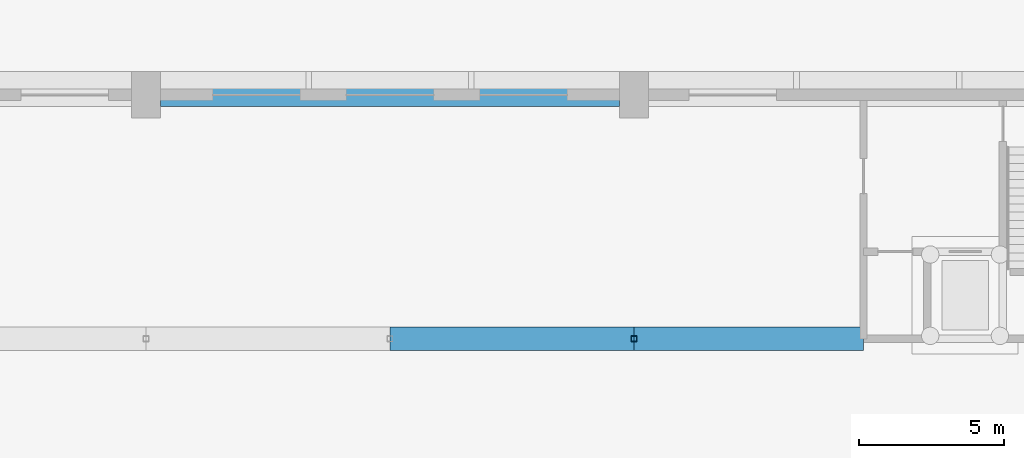
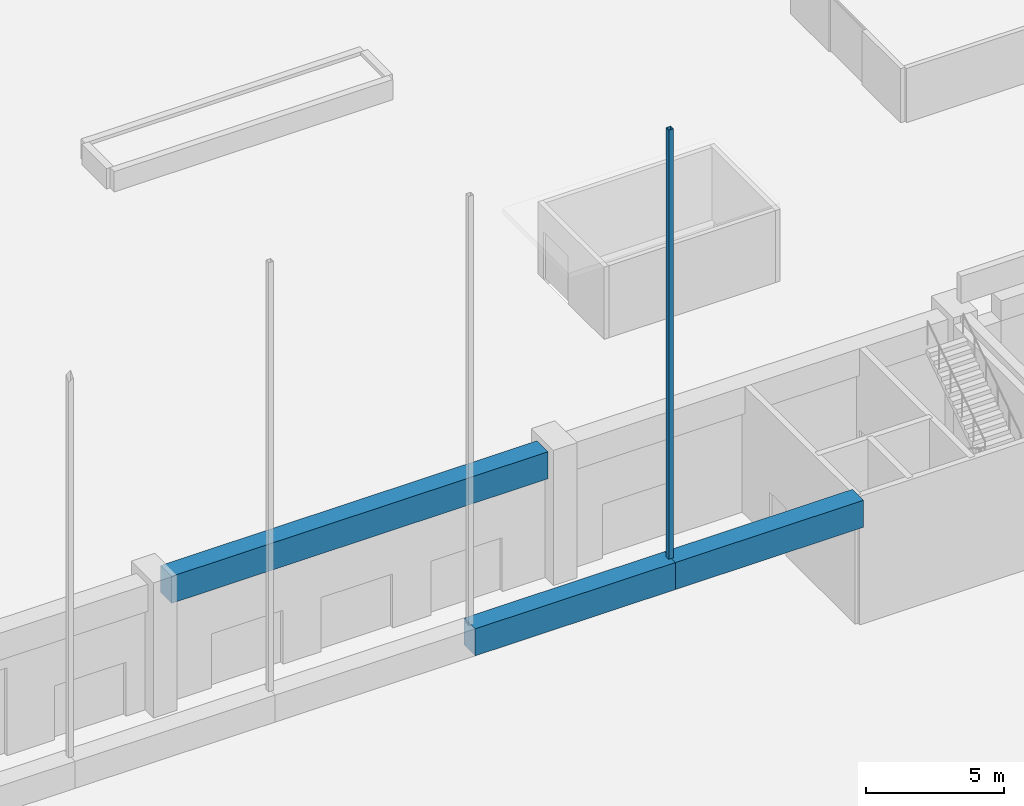
# One storey, part 70 of 210: 3 beams, 1 member.
"""IFC4 building model written with IfcOpenShell, lengths in metres."""

import ifcopenshell
import ifcopenshell.guid

model = None  # the IFC model being written
_history = None  # IfcOwnerHistory: only IFC2X3 demands one
_inside = {}  # id of a spatial element -> (the spatial element, [elements in it])
_under = {}  # id of a project, library or spatial element -> (it, [spatial elements below it])
_declared = {}  # id of a project -> (the project, [libraries it declares])
_typed = {}  # id of a type object -> (the type object, [elements of that type])
_made_of = {}  # id of a material, layer set ... -> (it, [elements and type objects made of it])


def new_model(schema):
    """Start an empty IFC model of exactly this schema.

    Asked for "IFC4X3", IfcOpenShell would pick the latest addendum, in which some entities
    have other attributes; the version numbers below select the first issue.
    IFC2X3 requires an IfcOwnerHistory on every rooted entity: one is made here for all.
    """
    global model, _history
    if schema == "IFC4X3":
        model = ifcopenshell.file(schema_version=(4, 3, 0, 0))
    else:
        model = ifcopenshell.file(schema=schema)
    _inside.clear()
    _under.clear()
    _declared.clear()
    _typed.clear()
    _made_of.clear()
    _history = None
    if model.schema == "IFC2X3":
        org = make("IfcOrganization", Name="unknown")
        user = make(
            "IfcPersonAndOrganization",
            ThePerson=make("IfcPerson", FamilyName="unknown"),
            TheOrganization=org,
        )
        app = make(
            "IfcApplication",
            ApplicationDeveloper=org,
            Version="unknown",
            ApplicationFullName="unknown",
            ApplicationIdentifier="unknown",
        )
        _history = make(
            "IfcOwnerHistory",
            OwningUser=user,
            OwningApplication=app,
            ChangeAction="ADDED",
            CreationDate=0,
        )
    return model


def make(cls, **values):
    """One entity of the class cls with the attributes given. An attribute that is None is left unset."""
    return model.create_entity(
        cls, **{name: value for name, value in values.items() if value is not None}
    )


def rooted(cls, **values):
    """An entity with a GlobalId (a new one), such as an element, a storey or a relation."""
    return make(cls, GlobalId=ifcopenshell.guid.new(), OwnerHistory=_history, **values)


def si_unit(unit_type, name, prefix=None):
    """IfcSIUnit, for example si_unit("LENGTHUNIT", "METRE", prefix="MILLI")."""
    return make("IfcSIUnit", UnitType=unit_type, Prefix=prefix, Name=name)


def assignment(units):
    """IfcUnitAssignment: the units of a project."""
    return None if units is None else make("IfcUnitAssignment", Units=units)


def point(xyz):
    """IfcCartesianPoint."""
    return None if xyz is None else make("IfcCartesianPoint", Coordinates=xyz)


def direction(xyz):
    """IfcDirection."""
    return None if xyz is None else make("IfcDirection", DirectionRatios=xyz)


def frame(location, z_axis=None, x_axis=None):
    """IfcAxis2Placement3D, a coordinate frame: its origin and axes. An axis left out is left unset."""
    return make(
        "IfcAxis2Placement3D",
        Location=point(location),
        Axis=direction(z_axis),
        RefDirection=direction(x_axis),
    )


def frame_2d(location, x_axis=None):
    """IfcAxis2Placement2D, a coordinate frame in the plane: its origin and x axis."""
    return make(
        "IfcAxis2Placement2D", Location=point(location), RefDirection=direction(x_axis)
    )


def origin():
    """The frame at (0, 0, 0) with its axes left unset."""
    return frame((0.0, 0.0, 0.0))


def origin_2d():
    """The frame at (0, 0) in the plane with its x axis left unset."""
    return frame_2d((0.0, 0.0))


def place(relative_to, where):
    """IfcLocalPlacement: puts the frame where relative to a parent placement (None: the world)."""
    return make(
        "IfcLocalPlacement", PlacementRelTo=relative_to, RelativePlacement=where
    )


def context(
    kind, dimensions, precision=None, world=None, true_north=None, identifier=None
):
    """IfcGeometricRepresentationContext, for example the 3D "Model" context."""
    return make(
        "IfcGeometricRepresentationContext",
        ContextIdentifier=identifier,
        ContextType=kind,
        CoordinateSpaceDimension=dimensions,
        Precision=precision,
        WorldCoordinateSystem=world,
        TrueNorth=true_north,
    )


def subcontext(parent, identifier, kind, view, scale=None):
    """IfcGeometricRepresentationSubContext, for example "Body" below "Model"."""
    return make(
        "IfcGeometricRepresentationSubContext",
        ContextIdentifier=identifier,
        ContextType=kind,
        ParentContext=parent,
        TargetScale=scale,
        TargetView=view,
    )


def project(units=None, contexts=None):
    """IfcProject with its units and contexts."""
    return rooted(
        "IfcProject",
        Name="project",
        RepresentationContexts=contexts,
        UnitsInContext=assignment(units),
    )


def spatial(cls, under=None, at=None, **own):
    """A site, building, storey or space (cls), placed at a placement, below another one or the project."""
    s = rooted(cls, ObjectPlacement=at, **own)
    if under is not None:
        _under.setdefault(under.id(), (under, []))[1].append(s)
    return s


def profile(cls, at=None, kind="AREA", **sizes):
    """A parametric profile (cls). Its sizes go by their IFC names, for example OverallWidth=200.0."""
    return make(cls, ProfileType=kind, Position=at, **sizes)


def rectangle(**sizes):
    """IfcRectangleProfileDef."""
    return profile("IfcRectangleProfileDef", **sizes)


def hollow_rectangle(**sizes):
    """IfcRectangleHollowProfileDef."""
    return profile("IfcRectangleHollowProfileDef", **sizes)


def extrude(swept, where, along, depth):
    """IfcExtrudedAreaSolid: the profile swept, set in the frame where, extruded along a direction by depth."""
    return make(
        "IfcExtrudedAreaSolid",
        SweptArea=swept,
        Position=where,
        ExtrudedDirection=direction(along),
        Depth=depth,
    )


def shape(context_of_items, identifier, shape_type, items):
    """IfcShapeRepresentation: the items that make up one representation, for example the "Body"."""
    return make(
        "IfcShapeRepresentation",
        ContextOfItems=context_of_items,
        RepresentationIdentifier=identifier,
        RepresentationType=shape_type,
        Items=items,
    )


def material(Name=None, Category=None):
    """IfcMaterial."""
    return make("IfcMaterial", Name=Name, Category=Category)


def material_profile(
    of_material, cross_section, Name=None, Category=None, Priority=None
):
    """IfcMaterialProfile: a cross section and its material."""
    return make(
        "IfcMaterialProfile",
        Name=Name,
        Material=of_material,
        Profile=cross_section,
        Priority=Priority,
        Category=Category,
    )


def profile_set(profiles, Name=None, composite=None):
    """IfcMaterialProfileSet."""
    return make(
        "IfcMaterialProfileSet",
        Name=Name,
        MaterialProfiles=profiles,
        CompositeProfile=composite,
    )


def made_of(thing, what):
    """Note that an element or type object is made of a material, layer set ...; save() writes the relation."""
    if what is not None:
        _made_of.setdefault(what.id(), (what, []))[1].append(thing)
    return thing


def type_object(cls, material=None, **own):
    """A type object (cls), such as IfcWallType, which elements share."""
    return made_of(rooted(cls, **own), material)


def element(
    cls,
    number,
    at=None,
    inside=None,
    cuts=None,
    type_object=None,
    material=None,
    context=None,
    identifier="Body",
    shape_type=None,
    held_by="IfcProductDefinitionShape",
    body=None,
    shapes=None,
    **own,
):
    """One element of the class cls, such as IfcWall. Its Tag is "e" and its number.

    at: its placement. inside: the storey or other place that contains it. cuts: it is an
    opening in that element (IfcRelVoidsElement). A single representation is given by context,
    identifier, shape_type and body (its items); several are given by shapes. held_by: the class
    of the entity that holds the representations. save() writes the other relations.
    """
    e = rooted(cls, Tag="e%d" % number, ObjectPlacement=at, **own)
    if body is not None:
        shapes = [shape(context, identifier, shape_type, body)]
    if shapes is not None:
        e.Representation = make(held_by, Representations=shapes)
    if inside is not None:
        _inside.setdefault(inside.id(), (inside, []))[1].append(e)
    if cuts is not None:
        rooted(
            "IfcRelVoidsElement", RelatingBuildingElement=cuts, RelatedOpeningElement=e
        )
    if type_object is not None:
        _typed.setdefault(type_object.id(), (type_object, []))[1].append(e)
    return made_of(e, material)


def aggregate(whole, parts):
    """IfcRelAggregates: a whole, such as a stair, and the parts it consists of."""
    return rooted("IfcRelAggregates", RelatingObject=whole, RelatedObjects=parts)


def save(model, path):
    """Write the relations noted so far, then the file.

    IfcRelAggregates (storeys below a building ...), IfcRelContainedInSpatialStructure (elements
    in a storey), IfcRelDefinesByType, IfcRelAssociatesMaterial and IfcRelDeclares: one each for
    every whole, place, type object, material and project.
    """
    for whole, parts in _under.values():
        aggregate(whole, parts)
    for where, things in _inside.values():
        rooted(
            "IfcRelContainedInSpatialStructure",
            RelatedElements=things,
            RelatingStructure=where,
        )
    for kind, things in _typed.values():
        rooted("IfcRelDefinesByType", RelatedObjects=things, RelatingType=kind)
    for what, things in _made_of.values():
        rooted("IfcRelAssociatesMaterial", RelatedObjects=things, RelatingMaterial=what)
    for by, libraries in _declared.values():
        rooted("IfcRelDeclares", RelatingContext=by, RelatedDefinitions=libraries)
    model.write(path)


model = new_model("IFC4")

# Units and contexts
model_context = context("Model", 3, precision=1e-05, world=origin(), true_north=direction((0.0, 1.0)))
body_context = subcontext(model_context, "Body", "Model", "MODEL_VIEW")
ifc_project = project(units=[si_unit("LENGTHUNIT", "METRE"), si_unit("AREAUNIT", "SQUARE_METRE"), si_unit("VOLUMEUNIT", "CUBIC_METRE"), si_unit("PLANEANGLEUNIT", "RADIAN"), si_unit("MASSUNIT", "GRAM", prefix="KILO")], contexts=[model_context])

# Site, building, storey
site_placement = place(None, origin())
site = spatial("IfcSite", under=ifc_project, at=site_placement, CompositionType="ELEMENT")
building_placement = place(site_placement, origin())
building = spatial("IfcBuilding", under=site, at=building_placement, Name="Rain Tree Exposition and Congress Centre", CompositionType="ELEMENT")
storey_placement = place(building_placement, origin())
storey = spatial("IfcBuildingStorey", under=building, at=storey_placement, Name="L00", CompositionType="ELEMENT", Elevation=0.0)

# Beams
ifc_material_1 = material(Name="Precast concrete C50/60", Category="concrete")
ifc_material_profile_1 = material_profile(ifc_material_1, rectangle(XDim=0.800048828125, YDim=1.199951171875, at=origin_2d()), Name="RC 800x1200")
ifc_profile_set_1 = profile_set([ifc_material_profile_1], Name="Precast concrete C50/60")
beam_type = type_object("IfcBeamType", Name="Precast beam 800x1200", PredefinedType="BEAM", material=ifc_profile_set_1)
beam_1_placement = place(storey_placement, frame((210.5, 201.60009765625, 5.10009765625), z_axis=(1.0, 0.0, 0.0), x_axis=(0.0, 1.0, 0.0)))
element("IfcBeam", 1, at=beam_1_placement, inside=storey, type_object=beam_type, Name="Gallery perimeter beam 11", PredefinedType="BEAM", context=body_context, shape_type="SweptSolid", body=[
    extrude(rectangle(XDim=0.800048828125, YDim=1.199951171875, at=origin_2d()), origin(), (0.0, 0.0, 1.0), 15.800048828125),
])
beam_2_placement = place(storey_placement, frame((218.39990234375, 193.199951171875, 5.10009765625), z_axis=(1.0, 0.0, 0.0), x_axis=(0.0, 1.0, 0.0)))
element("IfcBeam", 2, at=beam_2_placement, inside=storey, type_object=beam_type, Name="Gallery edge beam 28", PredefinedType="BEAM", context=body_context, shape_type="SweptSolid", body=[
    extrude(rectangle(XDim=0.800048828125, YDim=1.199951171875, at=origin_2d()), origin(), (0.0, 0.0, 1.0), 8.400146484375),
])
beam_3_placement = place(storey_placement, frame((226.800048828125, 193.199951171875, 5.10009765625), z_axis=(1.0, 0.0, 0.0), x_axis=(0.0, 1.0, 0.0)))
element("IfcBeam", 3, at=beam_3_placement, inside=storey, type_object=beam_type, Name="Gallery edge beam 29", PredefinedType="BEAM", context=body_context, shape_type="SweptSolid", body=[
    extrude(rectangle(XDim=0.800048828125, YDim=1.199951171875, at=origin_2d()), origin(), (0.0, 0.0, 1.0), 7.89990234375),
])

# Member
ifc_material_2 = material(Name="Steel S355J2H", Category="steel")
ifc_material_profile_2 = material_profile(ifc_material_2, hollow_rectangle(XDim=0.199951171875, YDim=0.199951171875, WallThickness=0.009033203125, at=origin_2d()), Name="RHS 200x200x9")
ifc_profile_set_2 = profile_set([ifc_material_profile_2], Name="Steel S355J2H")
member_type = type_object("IfcMemberType", Name="Steel member member RHS 200x200x9", PredefinedType="MEMBER", material=ifc_profile_set_2)
member_placement = place(storey_placement, frame((226.800048828125, 193.199951171875, 5.699951171875), z_axis=(0.0, 0.0, 1.0), x_axis=(1.0, 0.0, 0.0)))
element("IfcMember", 4, at=member_placement, inside=storey, type_object=member_type, Name="Gallery hanger 38", PredefinedType="MEMBER", context=body_context, shape_type="SweptSolid", body=[
    extrude(hollow_rectangle(XDim=0.199951171875, YDim=0.199951171875, WallThickness=0.009033203125, at=origin_2d()), origin(), (0.0, 0.0, 1.0), 19.0439453125),
])

save(model, "model.ifc")
